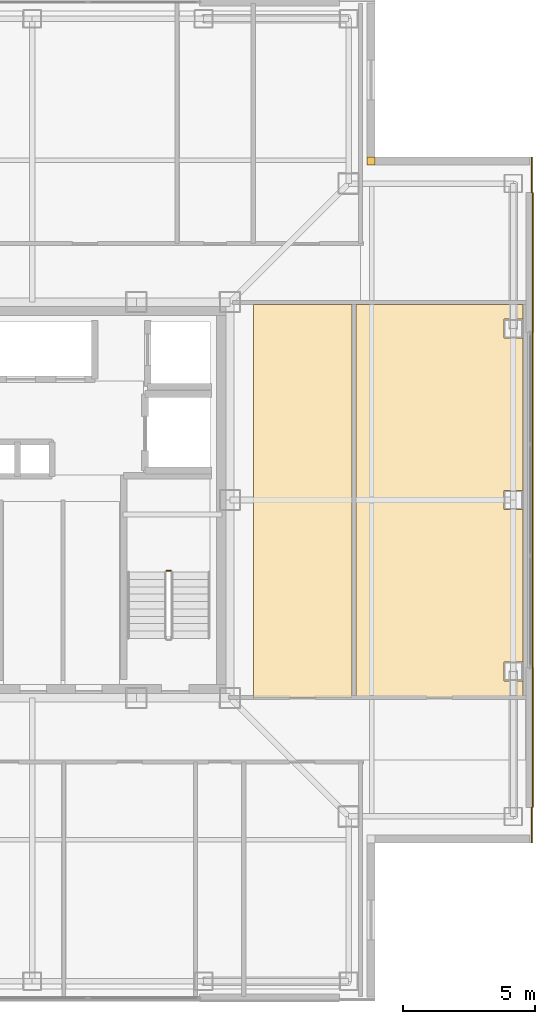
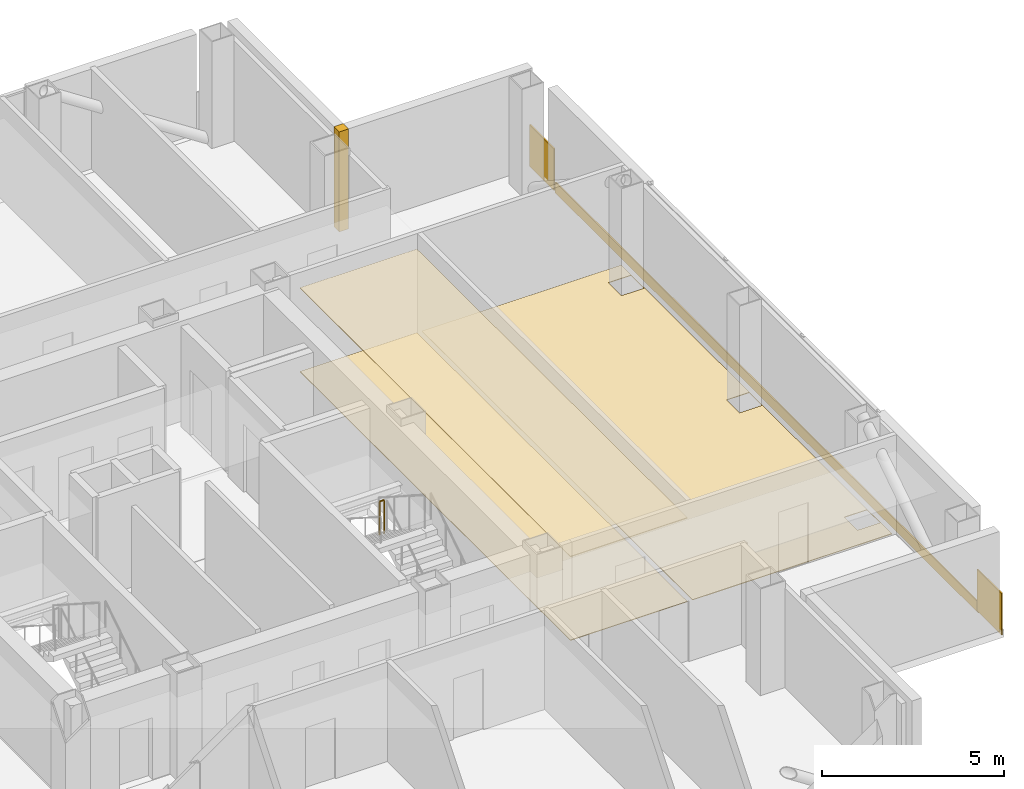
# One storey, part 15 of 16: 7 coverings, 1 railing.
"""IFC4 building model written with IfcOpenShell, lengths in metres."""

from ifc_helpers import new_model, si_unit, direction, frame, frame_2d, origin, origin_2d, place, context, subcontext, project, spatial, polyline, rectangle, circle, outline, extrude, material, layer, layer_set, type_object, element, save


model = new_model("IFC4")

# Units and contexts
model_context = context("Model", 3, precision=1e-05, world=origin(), true_north=direction((0.0, 1.0)))
body_context = subcontext(model_context, "Body", "Model", "MODEL_VIEW")
ifc_project = project(units=[si_unit("LENGTHUNIT", "METRE"), si_unit("AREAUNIT", "SQUARE_METRE"), si_unit("VOLUMEUNIT", "CUBIC_METRE"), si_unit("PLANEANGLEUNIT", "RADIAN"), si_unit("MASSUNIT", "GRAM", prefix="KILO")], contexts=[model_context])

# Site, building, storey
site_placement = place(None, origin())
site = spatial("IfcSite", under=ifc_project, at=site_placement, CompositionType="ELEMENT")
building_placement = place(site_placement, origin())
building = spatial("IfcBuilding", under=site, at=building_placement, Name="Trevonay Congress Spire", CompositionType="ELEMENT")
storey_placement = place(building_placement, frame((0.0, 0.0, 236.0)))
storey = spatial("IfcBuildingStorey", under=building, at=storey_placement, Name="L61", CompositionType="ELEMENT", Elevation=236.0)

# Coverings
ifc_material_1 = material(Name="Acoustic Mineral Fibre Board", Category="gypsum")
ifc_layer_1 = layer(ifc_material_1, 0.02490234375, Name="Acoustic Mineral Fibre Board")
ifc_layer_set_1 = layer_set([ifc_layer_1], Name="Acoustic Mineral Fibre Board")
covering_type_1 = type_object("IfcCoveringType", Name="COV-CEIL-ACOUSTIC", PredefinedType="CEILING", material=ifc_layer_set_1)
covering_1_placement = place(storey_placement, frame((0.0, 0.0, 2.81005859375)))
element("IfcCovering", 1, at=covering_1_placement, inside=storey, type_object=covering_type_1, Name="L61 Chancery Tea Pantry acoustic suspended ceiling", PredefinedType="CEILING", context=body_context, shape_type="SweptSolid", body=[
    extrude(outline(polyline([(8.39990234375, -7.47998046875), (12.1201171875, -7.47998046875), (12.1201171875, 7.419921875), (8.39990234375, 7.419921875), (8.39990234375, -7.47998046875)])), origin(), (0.0, 0.0, 1.0), 0.02490234375),
])
ifc_material_2 = material(Name="Polished Granite Floor Tile", Category="masonry")
ifc_layer_2 = layer(ifc_material_2, 0.02001953125, Name="Polished Granite Floor Tile")
ifc_layer_set_2 = layer_set([ifc_layer_2], Name="Polished Granite Floor Tile")
covering_type_2 = type_object("IfcCoveringType", Name="COV-FLOOR-STONE", PredefinedType="FLOORING", material=ifc_layer_set_2)
covering_2_placement = place(storey_placement, origin())
element("IfcCovering", 2, at=covering_2_placement, inside=storey, type_object=covering_type_2, Name="L61 Chancery Tea Pantry floor finish", PredefinedType="FLOORING", context=body_context, shape_type="SweptSolid", body=[
    extrude(outline(polyline([(8.39990234375, -7.47998046875), (12.1201171875, -7.47998046875), (12.1201171875, 7.419921875), (8.39990234375, 7.419921875), (8.39990234375, -7.47998046875)])), origin(), (0.0, 0.0, 1.0), 0.02001953125),
])
covering_3_placement = place(storey_placement, origin())
element("IfcCovering", 3, at=covering_3_placement, inside=storey, type_object=covering_type_2, Name="L61 Diplomatic Pouch Store floor finish", PredefinedType="FLOORING", context=body_context, shape_type="SweptSolid", body=[
    extrude(outline(polyline([(12.280029296875, 7.419921875), (18.6201171875, 7.419921875), (18.6201171875, -7.47998046875), (12.280029296875, -7.47998046875), (12.280029296875, 7.419921875)]), holes=[polyline([(17.889892578125, -6.860107421875), (18.610107421875, -6.860107421875), (18.610107421875, -6.139892578125), (17.889892578125, -6.139892578125), (17.889892578125, -6.860107421875)]), polyline([(17.889892578125, 0.360107421875), (17.889892578125, -0.360107421875), (18.610107421875, -0.360107421875), (18.610107421875, 0.360107421875), (17.889892578125, 0.360107421875)]), polyline([(17.889892578125, 6.860107421875), (17.889892578125, 6.139892578125), (18.610107421875, 6.139892578125), (18.610107421875, 6.860107421875), (17.889892578125, 6.860107421875)])]), origin(), (0.0, 0.0, 1.0), 0.02001953125),
])
ifc_material_3 = material(Name="Pale Anodised Aluminium EN AW-6063-T6", Category="aluminium")
ifc_layer_3 = layer(ifc_material_3, 0.0400390625, Name="Pale Anodised Aluminium EN AW-6063-T6")
ifc_layer_set_3 = layer_set([ifc_layer_3], Name="Pale Anodised Aluminium EN AW-6063-T6")
covering_type_3 = type_object("IfcCoveringType", Name="COV-SPANDREL-PALE-METAL", PredefinedType="CLADDING", material=ifc_layer_set_3)
covering_4_placement = place(storey_placement, frame((18.97998046875, -11.64990234375, -0.239990234375), z_axis=(0.0, 0.0, 1.0), x_axis=(0.0, 1.0, 0.0)))
element("IfcCovering", 4, at=covering_4_placement, inside=storey, type_object=covering_type_3, Name="L61 E pale-metal slab-edge spandrel cladding", PredefinedType="CLADDING", context=body_context, shape_type="SweptSolid", body=[
    extrude(rectangle(XDim=23.2998046875, YDim=0.0400390625, at=frame_2d((11.64990234375, 0.0))), origin(), (0.0, 0.0, 1.0), 0.360107421875),
])
covering_5_placement = place(storey_placement, frame((18.93994140625, -11.64990234375, -0.14990234375), z_axis=(0.0, 0.0, 1.0), x_axis=(0.0, -1.0, 0.0)))
element("IfcCovering", 5, at=covering_5_placement, inside=storey, type_object=covering_type_3, Name="L61 SE corner pier spandrel cladding 1", PredefinedType="CLADDING", context=body_context, shape_type="SweptSolid", body=[
    extrude(rectangle(XDim=1.35009765625, YDim=0.0400390625, at=frame_2d((0.675048828125, 0.0))), origin(), (0.0, 0.0, 1.0), 1.39990234375),
])
covering_6_placement = place(storey_placement, origin())
element("IfcCovering", 6, at=covering_6_placement, inside=storey, type_object=covering_type_3, Name="L61 NE re-entrant notch corner closure trim", PredefinedType="CLADDING", context=body_context, shape_type="SweptSolid", body=[
    extrude(outline(polyline([(12.699951171875, 12.699951171875), (13.0, 12.699951171875), (13.0, 13.0), (12.699951171875, 13.0), (12.699951171875, 12.699951171875)])), origin(), (0.0, 0.0, 1.0), 3.360107421875),
])
covering_7_placement = place(storey_placement, frame((18.93994140625, 11.64990234375, -0.14990234375), z_axis=(0.0, 0.0, 1.0), x_axis=(0.0, 1.0, 0.0)))
element("IfcCovering", 7, at=covering_7_placement, inside=storey, type_object=covering_type_3, Name="L61 NE corner pier spandrel cladding 1", PredefinedType="CLADDING", context=body_context, shape_type="SweptSolid", body=[
    extrude(rectangle(XDim=1.35009765625, YDim=0.0400390625, at=frame_2d((0.675048828125, 0.0))), origin(), (0.0, 0.0, 1.0), 1.39990234375),
])

# Railing
railing_type = type_object("IfcRailingType", Name="RAL-STAIR-GUARD-110", PredefinedType="GUARDRAIL", material=ifc_material_3)
railing_placement = place(storey_placement, frame((5.25, -2.679931640625, 1.800048828125)))
element("IfcRailing", 8, at=railing_placement, inside=storey, type_object=railing_type, Name="L61 ST-2 stair guard 2", PredefinedType="GUARDRAIL", context=body_context, shape_type="SweptSolid", body=[
    extrude(circle(Radius=0.02392578125, at=origin_2d()), frame((0.0, 0.0, 1.1259765625), z_axis=(-1.0, 0.0, 0.0), x_axis=(0.0, -1.0, 0.0)), (0.0, 0.0, 1.0), 0.14990234375),
    extrude(circle(Radius=0.02099609375, at=origin_2d()), origin(), (0.0, 0.0, 1.0), 1.101806640625),
    extrude(circle(Radius=0.02099609375, at=origin_2d()), frame((-0.14990234375, 0.0, 0.0)), (0.0, 0.0, 1.0), 1.101806640625),
])

save(model, "model.ifc")
